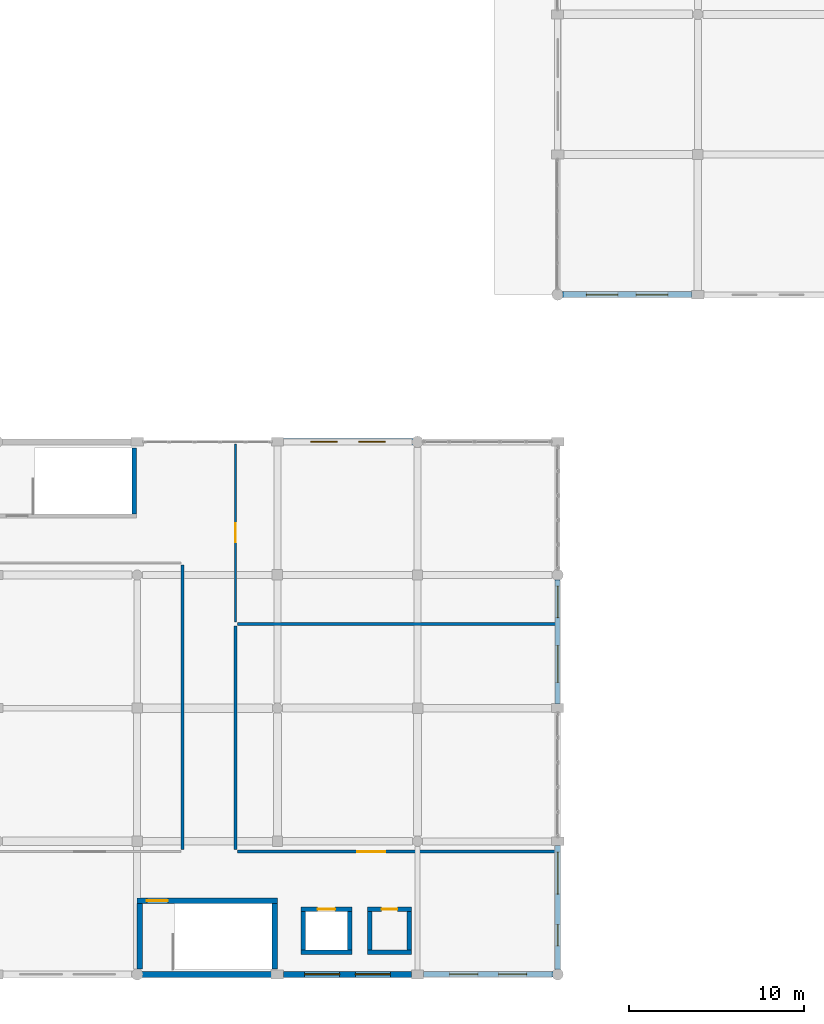
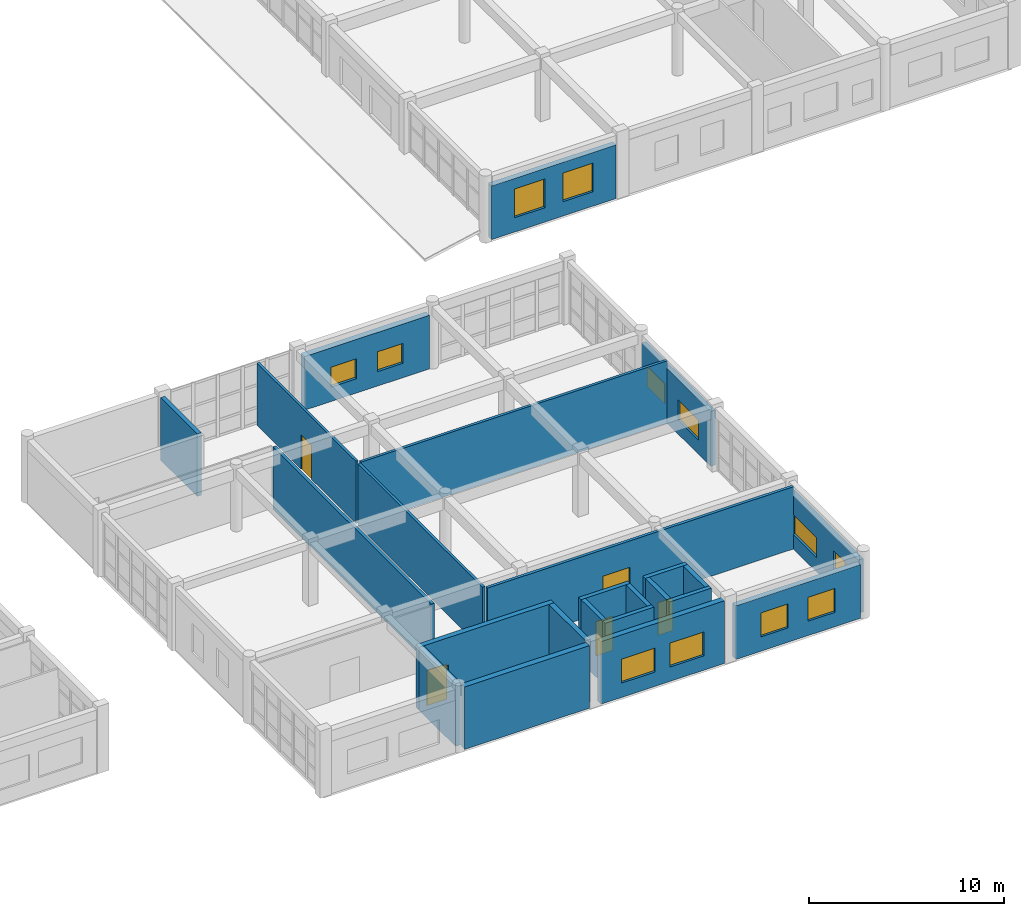
# One storey, part 109 of 121: 24 walls, 12 windows, 5 doors, 17 openings.
"""IFC4 building model written with IfcOpenShell, lengths in metres."""

import ifcopenshell
import ifcopenshell.guid

model = None  # the IFC model being written
_history = None  # IfcOwnerHistory: only IFC2X3 demands one
_inside = {}  # id of a spatial element -> (the spatial element, [elements in it])
_under = {}  # id of a project, library or spatial element -> (it, [spatial elements below it])
_declared = {}  # id of a project -> (the project, [libraries it declares])
_typed = {}  # id of a type object -> (the type object, [elements of that type])
_made_of = {}  # id of a material, layer set ... -> (it, [elements and type objects made of it])


def new_model(schema):
    """Start an empty IFC model of exactly this schema.

    Asked for "IFC4X3", IfcOpenShell would pick the latest addendum, in which some entities
    have other attributes; the version numbers below select the first issue.
    IFC2X3 requires an IfcOwnerHistory on every rooted entity: one is made here for all.
    """
    global model, _history
    if schema == "IFC4X3":
        model = ifcopenshell.file(schema_version=(4, 3, 0, 0))
    else:
        model = ifcopenshell.file(schema=schema)
    _inside.clear()
    _under.clear()
    _declared.clear()
    _typed.clear()
    _made_of.clear()
    _history = None
    if model.schema == "IFC2X3":
        org = make("IfcOrganization", Name="unknown")
        user = make(
            "IfcPersonAndOrganization",
            ThePerson=make("IfcPerson", FamilyName="unknown"),
            TheOrganization=org,
        )
        app = make(
            "IfcApplication",
            ApplicationDeveloper=org,
            Version="unknown",
            ApplicationFullName="unknown",
            ApplicationIdentifier="unknown",
        )
        _history = make(
            "IfcOwnerHistory",
            OwningUser=user,
            OwningApplication=app,
            ChangeAction="ADDED",
            CreationDate=0,
        )
    return model


def make(cls, **values):
    """One entity of the class cls with the attributes given. An attribute that is None is left unset."""
    return model.create_entity(
        cls, **{name: value for name, value in values.items() if value is not None}
    )


def rooted(cls, **values):
    """An entity with a GlobalId (a new one), such as an element, a storey or a relation."""
    return make(cls, GlobalId=ifcopenshell.guid.new(), OwnerHistory=_history, **values)


def si_unit(unit_type, name, prefix=None):
    """IfcSIUnit, for example si_unit("LENGTHUNIT", "METRE", prefix="MILLI")."""
    return make("IfcSIUnit", UnitType=unit_type, Prefix=prefix, Name=name)


def assignment(units):
    """IfcUnitAssignment: the units of a project."""
    return None if units is None else make("IfcUnitAssignment", Units=units)


def point(xyz):
    """IfcCartesianPoint."""
    return None if xyz is None else make("IfcCartesianPoint", Coordinates=xyz)


def direction(xyz):
    """IfcDirection."""
    return None if xyz is None else make("IfcDirection", DirectionRatios=xyz)


def frame(location, z_axis=None, x_axis=None):
    """IfcAxis2Placement3D, a coordinate frame: its origin and axes. An axis left out is left unset."""
    return make(
        "IfcAxis2Placement3D",
        Location=point(location),
        Axis=direction(z_axis),
        RefDirection=direction(x_axis),
    )


def frame_2d(location, x_axis=None):
    """IfcAxis2Placement2D, a coordinate frame in the plane: its origin and x axis."""
    return make(
        "IfcAxis2Placement2D", Location=point(location), RefDirection=direction(x_axis)
    )


def origin():
    """The frame at (0, 0, 0) with its axes left unset."""
    return frame((0.0, 0.0, 0.0))


def place(relative_to, where):
    """IfcLocalPlacement: puts the frame where relative to a parent placement (None: the world)."""
    return make(
        "IfcLocalPlacement", PlacementRelTo=relative_to, RelativePlacement=where
    )


def context(
    kind, dimensions, precision=None, world=None, true_north=None, identifier=None
):
    """IfcGeometricRepresentationContext, for example the 3D "Model" context."""
    return make(
        "IfcGeometricRepresentationContext",
        ContextIdentifier=identifier,
        ContextType=kind,
        CoordinateSpaceDimension=dimensions,
        Precision=precision,
        WorldCoordinateSystem=world,
        TrueNorth=true_north,
    )


def subcontext(parent, identifier, kind, view, scale=None):
    """IfcGeometricRepresentationSubContext, for example "Body" below "Model"."""
    return make(
        "IfcGeometricRepresentationSubContext",
        ContextIdentifier=identifier,
        ContextType=kind,
        ParentContext=parent,
        TargetScale=scale,
        TargetView=view,
    )


def project(units=None, contexts=None):
    """IfcProject with its units and contexts."""
    return rooted(
        "IfcProject",
        Name="project",
        RepresentationContexts=contexts,
        UnitsInContext=assignment(units),
    )


def spatial(cls, under=None, at=None, **own):
    """A site, building, storey or space (cls), placed at a placement, below another one or the project."""
    s = rooted(cls, ObjectPlacement=at, **own)
    if under is not None:
        _under.setdefault(under.id(), (under, []))[1].append(s)
    return s


def profile(cls, at=None, kind="AREA", **sizes):
    """A parametric profile (cls). Its sizes go by their IFC names, for example OverallWidth=200.0."""
    return make(cls, ProfileType=kind, Position=at, **sizes)


def rectangle(**sizes):
    """IfcRectangleProfileDef."""
    return profile("IfcRectangleProfileDef", **sizes)


def extrude(swept, where, along, depth):
    """IfcExtrudedAreaSolid: the profile swept, set in the frame where, extruded along a direction by depth."""
    return make(
        "IfcExtrudedAreaSolid",
        SweptArea=swept,
        Position=where,
        ExtrudedDirection=direction(along),
        Depth=depth,
    )


def shape(context_of_items, identifier, shape_type, items):
    """IfcShapeRepresentation: the items that make up one representation, for example the "Body"."""
    return make(
        "IfcShapeRepresentation",
        ContextOfItems=context_of_items,
        RepresentationIdentifier=identifier,
        RepresentationType=shape_type,
        Items=items,
    )


def material(Name=None, Category=None):
    """IfcMaterial."""
    return make("IfcMaterial", Name=Name, Category=Category)


def layer(
    of_material, thickness, ventilated=None, Name=None, Category=None, Priority=None
):
    """IfcMaterialLayer: one layer of a wall or slab, of a material (None: an air gap)."""
    return make(
        "IfcMaterialLayer",
        Material=of_material,
        LayerThickness=thickness,
        IsVentilated=ventilated,
        Name=Name,
        Category=Category,
        Priority=Priority,
    )


def layer_set(layers, Name=None):
    """IfcMaterialLayerSet."""
    return make("IfcMaterialLayerSet", MaterialLayers=layers, LayerSetName=Name)


def made_of(thing, what):
    """Note that an element or type object is made of a material, layer set ...; save() writes the relation."""
    if what is not None:
        _made_of.setdefault(what.id(), (what, []))[1].append(thing)
    return thing


def type_object(cls, material=None, **own):
    """A type object (cls), such as IfcWallType, which elements share."""
    return made_of(rooted(cls, **own), material)


def element(
    cls,
    number,
    at=None,
    inside=None,
    cuts=None,
    type_object=None,
    material=None,
    context=None,
    identifier="Body",
    shape_type=None,
    held_by="IfcProductDefinitionShape",
    body=None,
    shapes=None,
    **own,
):
    """One element of the class cls, such as IfcWall. Its Tag is "e" and its number.

    at: its placement. inside: the storey or other place that contains it. cuts: it is an
    opening in that element (IfcRelVoidsElement). A single representation is given by context,
    identifier, shape_type and body (its items); several are given by shapes. held_by: the class
    of the entity that holds the representations. save() writes the other relations.
    """
    e = rooted(cls, Tag="e%d" % number, ObjectPlacement=at, **own)
    if body is not None:
        shapes = [shape(context, identifier, shape_type, body)]
    if shapes is not None:
        e.Representation = make(held_by, Representations=shapes)
    if inside is not None:
        _inside.setdefault(inside.id(), (inside, []))[1].append(e)
    if cuts is not None:
        rooted(
            "IfcRelVoidsElement", RelatingBuildingElement=cuts, RelatedOpeningElement=e
        )
    if type_object is not None:
        _typed.setdefault(type_object.id(), (type_object, []))[1].append(e)
    return made_of(e, material)


def fill(opening, filler):
    """IfcRelFillsElement: the door or window that sits in an opening."""
    return rooted(
        "IfcRelFillsElement",
        RelatingOpeningElement=opening,
        RelatedBuildingElement=filler,
    )


def aggregate(whole, parts):
    """IfcRelAggregates: a whole, such as a stair, and the parts it consists of."""
    return rooted("IfcRelAggregates", RelatingObject=whole, RelatedObjects=parts)


def save(model, path):
    """Write the relations noted so far, then the file.

    IfcRelAggregates (storeys below a building ...), IfcRelContainedInSpatialStructure (elements
    in a storey), IfcRelDefinesByType, IfcRelAssociatesMaterial and IfcRelDeclares: one each for
    every whole, place, type object, material and project.
    """
    for whole, parts in _under.values():
        aggregate(whole, parts)
    for where, things in _inside.values():
        rooted(
            "IfcRelContainedInSpatialStructure",
            RelatedElements=things,
            RelatingStructure=where,
        )
    for kind, things in _typed.values():
        rooted("IfcRelDefinesByType", RelatedObjects=things, RelatingType=kind)
    for what, things in _made_of.values():
        rooted("IfcRelAssociatesMaterial", RelatedObjects=things, RelatingMaterial=what)
    for by, libraries in _declared.values():
        rooted("IfcRelDeclares", RelatingContext=by, RelatedDefinitions=libraries)
    model.write(path)


model = new_model("IFC4")

# Units and contexts
model_context = context("Model", 3, precision=1e-05, world=origin(), true_north=direction((0.0, 1.0)))
body_context = subcontext(model_context, "Body", "Model", "MODEL_VIEW")
ifc_project = project(units=[si_unit("LENGTHUNIT", "METRE"), si_unit("AREAUNIT", "SQUARE_METRE"), si_unit("VOLUMEUNIT", "CUBIC_METRE"), si_unit("PLANEANGLEUNIT", "RADIAN"), si_unit("MASSUNIT", "GRAM", prefix="KILO")], contexts=[model_context])

# Site, building, storey
site_placement = place(None, origin())
site = spatial("IfcSite", under=ifc_project, at=site_placement, CompositionType="ELEMENT")
building_placement = place(site_placement, origin())
building = spatial("IfcBuilding", under=site, at=building_placement, Name="Kharva Crest Polytechnic", CompositionType="ELEMENT")
storey_placement = place(building_placement, frame((0.0, 0.0, 13.199951171875)))
storey = spatial("IfcBuildingStorey", under=building, at=storey_placement, Name="L03", CompositionType="ELEMENT", Elevation=13.199951171875)

# Wall, opening, door
ifc_material_1 = material(Name="Concrete C40/50", Category="concrete")
ifc_layer_1 = layer(ifc_material_1, 0.300048828125, Name="Concrete C40/50")
ifc_layer_set_1 = layer_set([ifc_layer_1], Name="Concrete C40/50")
wall_type_1 = type_object("IfcWallType", Name="WL-CORE-CW2-300", PredefinedType="SHEAR", material=ifc_layer_set_1)
wall_1_placement = place(storey_placement, frame((128.800048828125, 4.2099609375, 0.0), z_axis=(0.0, 0.0, 1.0), x_axis=(1.0, 0.0, 0.0)))
wall_1 = element("IfcWall", 1, at=wall_1_placement, inside=storey, type_object=wall_type_1, Name="L03 South-East Refectory Escarpment Core C6 North Shear Wall", PredefinedType="SHEAR", context=body_context, shape_type="SweptSolid", body=[
    extrude(rectangle(XDim=8.0, YDim=0.300048828125, at=frame_2d((4.0, 0.0))), origin(), (0.0, 0.0, 1.0), 3.920166015625),
])
opening_1_placement = place(wall_1_placement, frame((0.550048828125, 0.0, 0.0)))
opening_1 = element("IfcOpeningElement", 2, at=opening_1_placement, cuts=wall_1, Name="Opening FD1", PredefinedType="OPENING", context=body_context, shape_type="SweptSolid", body=[
    extrude(rectangle(XDim=1.199951171875, YDim=2.199951171875, at=frame_2d((0.60009765625, 1.10009765625))), frame((0.0, 0.159912109375, 0.0), z_axis=(0.0, -1.0, 0.0), x_axis=(1.0, 0.0, 0.0)), (0.0, 0.0, 1.0), 0.320068359375),
])
ifc_material_2 = material(Name="Teak timber", Category="wood")
door_type_1 = type_object("IfcDoorType", Name="DR-STAIR-1200X2200", OperationType="NOTDEFINED", PredefinedType="DOOR", material=ifc_material_2)
door_1_placement = place(opening_1_placement, origin())
door_1 = element("IfcDoor", 3, at=door_1_placement, inside=storey, type_object=door_type_1, Name="L03 ST-06 Stair Door", OperationType="SINGLE_SWING_LEFT", OverallHeight=2.199951171875, OverallWidth=1.199951171875, PredefinedType="DOOR", context=body_context, shape_type="SweptSolid", body=[
    extrude(rectangle(XDim=1.199951171875, YDim=2.199951171875, at=frame_2d((0.60009765625, 1.10009765625))), frame((0.0, 0.02490234375, 0.0), z_axis=(0.0, -1.0, 0.0), x_axis=(1.0, 0.0, 0.0)), (0.0, 0.0, 1.0), 0.050048828125),
])
fill(opening_1, door_1)

# Walls
for number, where, z_axis, x_axis, name in (
    (4, (128.949951171875, 0.300048828125, 0.0), (0.0, 0.0, 1.0), (0.0, 1.0, 0.0), "L03 South-East Refectory Escarpment Core C6 West Shear Wall"),
    (5, (136.64990234375, 0.300048828125, 0.0), (0.0, 0.0, 1.0), (0.0, 1.0, 0.0), "L03 South-East Refectory Escarpment Core C6 East Shear Wall"),
):
    element("IfcWall", number, at=place(storey_placement, frame(where, z_axis=z_axis, x_axis=x_axis)), inside=storey, type_object=wall_type_1, Name=name, PredefinedType="SHEAR", context=body_context, shape_type="SweptSolid", body=[
        extrude(rectangle(XDim=3.760009765625, YDim=0.300048828125, at=frame_2d((1.8798828125, 0.0))), origin(), (0.0, 0.0, 1.0), 3.920166015625),
    ])

# Wall, openings, windows
ifc_material_3 = material(Name="Kiln brick masonry", Category="masonry")
ifc_layer_2 = layer(ifc_material_3, 0.27490234375, Name="Kiln brick masonry")
ifc_layer_set_2 = layer_set([ifc_layer_2], Name="Kiln brick masonry")
wall_type_2 = type_object("IfcWallType", Name="WL-EXT-BRK-275", PredefinedType="SOLIDWALL", material=ifc_layer_set_2)
wall_2_placement = place(storey_placement, frame((152.800048828125, 15.445068359375, 0.0), z_axis=(0.0, 0.0, 1.0), x_axis=(0.0, 1.0, 0.0)))
wall_2 = element("IfcWall", 6, at=wall_2_placement, inside=storey, type_object=wall_type_2, Name="L03 Exterior Brick Wall 329", PredefinedType="SOLIDWALL", context=body_context, shape_type="SweptSolid", body=[
    extrude(rectangle(XDim=7.086181640625, YDim=0.27490234375, at=frame_2d((3.54296875, 0.0))), origin(), (0.0, 0.0, 1.0), 3.43994140625),
])
opening_2_placement = place(wall_2_placement, frame((1.22705078125, 0.0, 0.89990234375)))
opening_2 = element("IfcOpeningElement", 7, at=opening_2_placement, cuts=wall_2, Name="Opening W18", PredefinedType="OPENING", context=body_context, shape_type="SweptSolid", body=[
    extrude(rectangle(XDim=2.10009765625, YDim=1.25, at=frame_2d((1.050048828125, 0.625))), frame((0.0, 0.1474609375, 0.0), z_axis=(0.0, -1.0, 0.0), x_axis=(1.0, 0.0, 0.0)), (0.0, 0.0, 1.0), 0.294921875),
])
opening_3_placement = place(wall_2_placement, frame((4.9208984375, 0.0, 0.89990234375)))
opening_3 = element("IfcOpeningElement", 8, at=opening_3_placement, cuts=wall_2, Name="Opening W19", PredefinedType="OPENING", context=body_context, shape_type="SweptSolid", body=[
    extrude(rectangle(XDim=1.800048828125, YDim=1.25, at=frame_2d((0.89990234375, 0.625))), frame((0.0, 0.1474609375, 0.0), z_axis=(0.0, -1.0, 0.0), x_axis=(1.0, 0.0, 0.0)), (0.0, 0.0, 1.0), 0.294921875),
])
ifc_material_4 = material(Name="Anodised aluminium", Category="aluminium")
window_type_1 = type_object("IfcWindowType", Name="WIN-ALU-1800X1250", PartitioningType="SINGLE_PANEL", PredefinedType="WINDOW", material=ifc_material_4)
window_1_placement = place(opening_3_placement, origin())
window_1 = element("IfcWindow", 9, at=window_1_placement, inside=storey, type_object=window_type_1, Name="L03 Exterior Window 447", OverallHeight=1.25, OverallWidth=1.800048828125, PartitioningType="SINGLE_PANEL", PredefinedType="WINDOW", context=body_context, shape_type="SweptSolid", body=[
    extrude(rectangle(XDim=1.800048828125, YDim=1.25, at=frame_2d((0.89990234375, 0.625))), frame((0.0, 0.030029296875, 0.0), z_axis=(0.0, -1.0, 0.0), x_axis=(1.0, 0.0, 0.0)), (0.0, 0.0, 1.0), 0.06005859375),
])
fill(opening_3, window_1)
window_type_2 = type_object("IfcWindowType", Name="WIN-ALU-2100X1250", PartitioningType="SINGLE_PANEL", PredefinedType="WINDOW", material=ifc_material_4)
window_2_placement = place(opening_2_placement, origin())
window_2 = element("IfcWindow", 10, at=window_2_placement, inside=storey, type_object=window_type_2, Name="L03 Exterior Window 446", OverallHeight=1.25, OverallWidth=2.10009765625, PartitioningType="SINGLE_PANEL", PredefinedType="WINDOW", context=body_context, shape_type="SweptSolid", body=[
    extrude(rectangle(XDim=2.10009765625, YDim=1.25, at=frame_2d((1.050048828125, 0.625))), frame((0.0, 0.030029296875, 0.0), z_axis=(0.0, -1.0, 0.0), x_axis=(1.0, 0.0, 0.0)), (0.0, 0.0, 1.0), 0.06005859375),
])
fill(opening_2, window_2)

ifc_layer_3 = layer(ifc_material_3, 0.304931640625, Name="Kiln brick masonry")
ifc_layer_set_3 = layer_set([ifc_layer_3], Name="Kiln brick masonry")
wall_type_3 = type_object("IfcWallType", Name="WL-EXT-BRK-305", PredefinedType="SOLIDWALL", material=ifc_layer_set_3)
wall_3_placement = place(storey_placement, frame((152.800048828125, 0.268798828125, 0.0), z_axis=(0.0, 0.0, 1.0), x_axis=(0.0, 1.0, 0.0)))
wall_3 = element("IfcWall", 11, at=wall_3_placement, inside=storey, type_object=wall_type_3, Name="L03 Exterior Brick Wall 328", PredefinedType="SOLIDWALL", context=body_context, shape_type="SweptSolid", body=[
    extrude(rectangle(XDim=7.086181640625, YDim=0.304931640625, at=frame_2d((3.54296875, 0.0))), origin(), (0.0, 0.0, 1.0), 3.340087890625),
])
opening_4_placement = place(wall_3_placement, frame((1.365966796875, 0.0, 0.89990234375)))
opening_4 = element("IfcOpeningElement", 12, at=opening_4_placement, cuts=wall_3, Name="Opening W16", PredefinedType="OPENING", context=body_context, shape_type="SweptSolid", body=[
    extrude(rectangle(XDim=1.199951171875, YDim=1.5, at=frame_2d((0.60009765625, 0.75))), frame((0.0, 0.162353515625, 0.0), z_axis=(0.0, -1.0, 0.0), x_axis=(1.0, 0.0, 0.0)), (0.0, 0.0, 1.0), 0.324951171875),
])
opening_5_placement = place(wall_3_placement, frame((4.30908203125, 0.0, 0.89990234375)))
opening_5 = element("IfcOpeningElement", 13, at=opening_5_placement, cuts=wall_3, Name="Opening W17", PredefinedType="OPENING", context=body_context, shape_type="SweptSolid", body=[
    extrude(rectangle(XDim=2.39990234375, YDim=1.25, at=frame_2d((1.199951171875, 0.625))), frame((0.0, 0.162353515625, 0.0), z_axis=(0.0, -1.0, 0.0), x_axis=(1.0, 0.0, 0.0)), (0.0, 0.0, 1.0), 0.324951171875),
])
window_type_3 = type_object("IfcWindowType", Name="WIN-ALU-1200X1500", PartitioningType="SINGLE_PANEL", PredefinedType="WINDOW", material=ifc_material_4)
window_3_placement = place(opening_4_placement, origin())
window_3 = element("IfcWindow", 14, at=window_3_placement, inside=storey, type_object=window_type_3, Name="L03 Exterior Window 444", OverallHeight=1.5, OverallWidth=1.199951171875, PartitioningType="SINGLE_PANEL", PredefinedType="WINDOW", context=body_context, shape_type="SweptSolid", body=[
    extrude(rectangle(XDim=1.199951171875, YDim=1.5, at=frame_2d((0.60009765625, 0.75))), frame((0.0, 0.030029296875, 0.0), z_axis=(0.0, -1.0, 0.0), x_axis=(1.0, 0.0, 0.0)), (0.0, 0.0, 1.0), 0.06005859375),
])
fill(opening_4, window_3)
window_type_4 = type_object("IfcWindowType", Name="WIN-ALU-2400X1250", PartitioningType="SINGLE_PANEL", PredefinedType="WINDOW", material=ifc_material_4)
window_4_placement = place(opening_5_placement, origin())
window_4 = element("IfcWindow", 15, at=window_4_placement, inside=storey, type_object=window_type_4, Name="L03 Exterior Window 445", OverallHeight=1.25, OverallWidth=2.39990234375, PartitioningType="SINGLE_PANEL", PredefinedType="WINDOW", context=body_context, shape_type="SweptSolid", body=[
    extrude(rectangle(XDim=2.39990234375, YDim=1.25, at=frame_2d((1.199951171875, 0.625))), frame((0.0, 0.030029296875, 0.0), z_axis=(0.0, -1.0, 0.0), x_axis=(1.0, 0.0, 0.0)), (0.0, 0.0, 1.0), 0.06005859375),
])
fill(opening_5, window_4)

ifc_layer_4 = layer(ifc_material_3, 0.320068359375, Name="Kiln brick masonry")
ifc_layer_set_4 = layer_set([ifc_layer_4], Name="Kiln brick masonry")
wall_type_4 = type_object("IfcWallType", Name="WL-EXT-BRK-320", PredefinedType="SOLIDWALL", material=ifc_layer_set_4)
wall_4_placement = place(storey_placement, frame((145.135009765625, 0.0, 0.0), z_axis=(0.0, 0.0, 1.0), x_axis=(1.0, 0.0, 0.0)))
wall_4 = element("IfcWall", 16, at=wall_4_placement, inside=storey, type_object=wall_type_4, Name="L03 Exterior Brick Wall 327", PredefinedType="SOLIDWALL", context=body_context, shape_type="SweptSolid", body=[
    extrude(rectangle(XDim=7.396240234375, YDim=0.320068359375, at=frame_2d((3.6982421875, 0.0))), origin(), (0.0, 0.0, 1.0), 3.360107421875),
])
opening_6_placement = place(wall_4_placement, frame((1.5048828125, 0.0, 0.89990234375)))
opening_6 = element("IfcOpeningElement", 17, at=opening_6_placement, cuts=wall_4, Name="Opening W14", PredefinedType="OPENING", context=body_context, shape_type="SweptSolid", body=[
    extrude(rectangle(XDim=1.60009765625, YDim=1.5, at=frame_2d((0.800048828125, 0.75))), frame((0.0, 0.169921875, 0.0), z_axis=(0.0, -1.0, 0.0), x_axis=(1.0, 0.0, 0.0)), (0.0, 0.0, 1.0), 0.340087890625),
])
opening_7_placement = place(wall_4_placement, frame((4.291015625, 0.0, 0.89990234375)))
opening_7 = element("IfcOpeningElement", 18, at=opening_7_placement, cuts=wall_4, Name="Opening W14", PredefinedType="OPENING", context=body_context, shape_type="SweptSolid", body=[
    extrude(rectangle(XDim=1.60009765625, YDim=1.5, at=frame_2d((0.800048828125, 0.75))), frame((0.0, 0.169921875, 0.0), z_axis=(0.0, -1.0, 0.0), x_axis=(1.0, 0.0, 0.0)), (0.0, 0.0, 1.0), 0.340087890625),
])
window_type_5 = type_object("IfcWindowType", Name="WIN-ALU-1600X1500", PartitioningType="SINGLE_PANEL", PredefinedType="WINDOW", material=ifc_material_4)
window_5_placement = place(opening_6_placement, origin())
window_5 = element("IfcWindow", 19, at=window_5_placement, inside=storey, type_object=window_type_5, Name="L03 Exterior Window 442", OverallHeight=1.5, OverallWidth=1.60009765625, PartitioningType="SINGLE_PANEL", PredefinedType="WINDOW", context=body_context, shape_type="SweptSolid", body=[
    extrude(rectangle(XDim=1.60009765625, YDim=1.5, at=frame_2d((0.800048828125, 0.75))), frame((0.0, 0.030029296875, 0.0), z_axis=(0.0, -1.0, 0.0), x_axis=(1.0, 0.0, 0.0)), (0.0, 0.0, 1.0), 0.06005859375),
])
fill(opening_6, window_5)
window_6_placement = place(opening_7_placement, origin())
window_6 = element("IfcWindow", 20, at=window_6_placement, inside=storey, type_object=window_type_5, Name="L03 Exterior Window 443", OverallHeight=1.5, OverallWidth=1.60009765625, PartitioningType="SINGLE_PANEL", PredefinedType="WINDOW", context=body_context, shape_type="SweptSolid", body=[
    extrude(rectangle(XDim=1.60009765625, YDim=1.5, at=frame_2d((0.800048828125, 0.75))), frame((0.0, 0.030029296875, 0.0), z_axis=(0.0, -1.0, 0.0), x_axis=(1.0, 0.0, 0.0)), (0.0, 0.0, 1.0), 0.06005859375),
])
fill(opening_7, window_6)

ifc_layer_5 = layer(ifc_material_3, 0.3349609375, Name="Kiln brick masonry")
ifc_layer_set_5 = layer_set([ifc_layer_5], Name="Kiln brick masonry")
wall_type_5 = type_object("IfcWallType", Name="WL-EXT-BRK-335", PredefinedType="SOLIDWALL", material=ifc_layer_set_5)
wall_5_placement = place(storey_placement, frame((137.14501953125, 0.0, 0.0), z_axis=(0.0, 0.0, 1.0), x_axis=(1.0, 0.0, 0.0)))
wall_5 = element("IfcWall", 21, at=wall_5_placement, inside=storey, type_object=wall_type_5, Name="L03 Exterior Brick Wall 326", PredefinedType="SOLIDWALL", context=body_context, shape_type="SweptSolid", body=[
    extrude(rectangle(XDim=7.320068359375, YDim=0.3349609375, at=frame_2d((3.66015625, 0.0))), origin(), (0.0, 0.0, 1.0), 3.920166015625),
])
opening_8_placement = place(wall_5_placement, frame((1.212890625, 0.0, 0.89990234375)))
opening_8 = element("IfcOpeningElement", 22, at=opening_8_placement, cuts=wall_5, Name="Opening W12", PredefinedType="OPENING", context=body_context, shape_type="SweptSolid", body=[
    extrude(rectangle(XDim=2.0, YDim=1.5, at=frame_2d((1.0, 0.75))), frame((0.0, 0.177490234375, 0.0), z_axis=(0.0, -1.0, 0.0), x_axis=(1.0, 0.0, 0.0)), (0.0, 0.0, 1.0), 0.35498046875),
])
opening_9_placement = place(wall_5_placement, frame((4.10693359375, 0.0, 0.89990234375)))
opening_9 = element("IfcOpeningElement", 23, at=opening_9_placement, cuts=wall_5, Name="Opening W12", PredefinedType="OPENING", context=body_context, shape_type="SweptSolid", body=[
    extrude(rectangle(XDim=2.0, YDim=1.5, at=frame_2d((1.0, 0.75))), frame((0.0, 0.177490234375, 0.0), z_axis=(0.0, -1.0, 0.0), x_axis=(1.0, 0.0, 0.0)), (0.0, 0.0, 1.0), 0.35498046875),
])
window_type_6 = type_object("IfcWindowType", Name="WIN-ALU-2000X1500", PartitioningType="SINGLE_PANEL", PredefinedType="WINDOW", material=ifc_material_4)
window_7_placement = place(opening_8_placement, origin())
window_7 = element("IfcWindow", 24, at=window_7_placement, inside=storey, type_object=window_type_6, Name="L03 Exterior Window 440", OverallHeight=1.5, OverallWidth=2.0, PartitioningType="SINGLE_PANEL", PredefinedType="WINDOW", context=body_context, shape_type="SweptSolid", body=[
    extrude(rectangle(XDim=2.0, YDim=1.5, at=frame_2d((1.0, 0.75))), frame((0.0, 0.030029296875, 0.0), z_axis=(0.0, -1.0, 0.0), x_axis=(1.0, 0.0, 0.0)), (0.0, 0.0, 1.0), 0.06005859375),
])
fill(opening_8, window_7)
window_8_placement = place(opening_9_placement, origin())
window_8 = element("IfcWindow", 25, at=window_8_placement, inside=storey, type_object=window_type_6, Name="L03 Exterior Window 441", OverallHeight=1.5, OverallWidth=2.0, PartitioningType="SINGLE_PANEL", PredefinedType="WINDOW", context=body_context, shape_type="SweptSolid", body=[
    extrude(rectangle(XDim=2.0, YDim=1.5, at=frame_2d((1.0, 0.75))), frame((0.0, 0.030029296875, 0.0), z_axis=(0.0, -1.0, 0.0), x_axis=(1.0, 0.0, 0.0)), (0.0, 0.0, 1.0), 0.06005859375),
])
fill(opening_9, window_8)

wall_6_placement = place(storey_placement, frame((153.06884765625, 38.800048828125, 0.0), z_axis=(0.0, 0.0, 1.0), x_axis=(1.0, 0.0, 0.0)))
wall_6 = element("IfcWall", 26, at=wall_6_placement, inside=storey, type_object=wall_type_5, Name="L03 Exterior Brick Wall 336", PredefinedType="SOLIDWALL", context=body_context, shape_type="SweptSolid", body=[
    extrude(rectangle(XDim=7.38623046875, YDim=0.3349609375, at=frame_2d((3.693115234375, 0.0))), origin(), (0.0, 0.0, 1.0), 3.360107421875),
])
opening_10_placement = place(wall_6_placement, frame((1.368896484375, 0.0, 0.89990234375)))
opening_10 = element("IfcOpeningElement", 27, at=opening_10_placement, cuts=wall_6, Name="Opening W05", PredefinedType="OPENING", context=body_context, shape_type="SweptSolid", body=[
    extrude(rectangle(XDim=1.800048828125, YDim=1.800048828125, at=frame_2d((0.89990234375, 0.89990234375))), frame((0.0, 0.177490234375, 0.0), z_axis=(0.0, -1.0, 0.0), x_axis=(1.0, 0.0, 0.0)), (0.0, 0.0, 1.0), 0.35498046875),
])
opening_11_placement = place(wall_6_placement, frame((4.217041015625, 0.0, 0.89990234375)))
opening_11 = element("IfcOpeningElement", 28, at=opening_11_placement, cuts=wall_6, Name="Opening W05", PredefinedType="OPENING", context=body_context, shape_type="SweptSolid", body=[
    extrude(rectangle(XDim=1.800048828125, YDim=1.800048828125, at=frame_2d((0.89990234375, 0.89990234375))), frame((0.0, 0.177490234375, 0.0), z_axis=(0.0, -1.0, 0.0), x_axis=(1.0, 0.0, 0.0)), (0.0, 0.0, 1.0), 0.35498046875),
])
window_type_7 = type_object("IfcWindowType", Name="WIN-ALU-1800X1800", PartitioningType="SINGLE_PANEL", PredefinedType="WINDOW", material=ifc_material_4)
window_9_placement = place(opening_10_placement, origin())
window_9 = element("IfcWindow", 29, at=window_9_placement, inside=storey, type_object=window_type_7, Name="L03 Exterior Window 457", OverallHeight=1.800048828125, OverallWidth=1.800048828125, PartitioningType="SINGLE_PANEL", PredefinedType="WINDOW", context=body_context, shape_type="SweptSolid", body=[
    extrude(rectangle(XDim=1.800048828125, YDim=1.800048828125, at=frame_2d((0.89990234375, 0.89990234375))), frame((0.0, 0.030029296875, 0.0), z_axis=(0.0, -1.0, 0.0), x_axis=(1.0, 0.0, 0.0)), (0.0, 0.0, 1.0), 0.06005859375),
])
fill(opening_10, window_9)
window_10_placement = place(opening_11_placement, origin())
window_10 = element("IfcWindow", 30, at=window_10_placement, inside=storey, type_object=window_type_7, Name="L03 Exterior Window 458", OverallHeight=1.800048828125, OverallWidth=1.800048828125, PartitioningType="SINGLE_PANEL", PredefinedType="WINDOW", context=body_context, shape_type="SweptSolid", body=[
    extrude(rectangle(XDim=1.800048828125, YDim=1.800048828125, at=frame_2d((0.89990234375, 0.89990234375))), frame((0.0, 0.030029296875, 0.0), z_axis=(0.0, -1.0, 0.0), x_axis=(1.0, 0.0, 0.0)), (0.0, 0.0, 1.0), 0.06005859375),
])
fill(opening_11, window_10)

# Wall
ifc_layer_6 = layer(ifc_material_3, 0.35009765625, Name="Kiln brick masonry")
ifc_layer_set_6 = layer_set([ifc_layer_6], Name="Kiln brick masonry")
wall_type_6 = type_object("IfcWallType", Name="WL-EXT-BRK-350", PredefinedType="SOLIDWALL", material=ifc_layer_set_6)
wall_7_placement = place(storey_placement, frame((129.06884765625, 0.0, 0.0), z_axis=(0.0, 0.0, 1.0), x_axis=(1.0, 0.0, 0.0)))
element("IfcWall", 31, at=wall_7_placement, inside=storey, type_object=wall_type_6, Name="L03 Exterior Brick Wall 325", PredefinedType="SOLIDWALL", context=body_context, shape_type="SweptSolid", body=[
    extrude(rectangle(XDim=7.38623046875, YDim=0.35009765625, at=frame_2d((3.693115234375, 0.0))), origin(), (0.0, 0.0, 1.0), 3.920166015625),
])

# Wall, openings, windows
ifc_layer_7 = layer(ifc_material_3, 0.364990234375, Name="Kiln brick masonry")
ifc_layer_set_7 = layer_set([ifc_layer_7], Name="Kiln brick masonry")
wall_type_7 = type_object("IfcWallType", Name="WL-EXT-BRK-365", PredefinedType="SOLIDWALL", material=ifc_layer_set_7)
wall_8_placement = place(storey_placement, frame((144.53125, 30.39990234375, 0.0), z_axis=(0.0, 0.0, 1.0), x_axis=(-1.0, 0.0, 0.0)))
wall_8 = element("IfcWall", 32, at=wall_8_placement, inside=storey, type_object=wall_type_7, Name="L03 Exterior Brick Wall 330", PredefinedType="SOLIDWALL", context=body_context, shape_type="SweptSolid", body=[
    extrude(rectangle(XDim=7.396240234375, YDim=0.364990234375, at=frame_2d((3.6982421875, 0.0))), origin(), (0.0, 0.0, 1.0), 3.360107421875),
])
opening_12_placement = place(wall_8_placement, frame((1.572021484375, 0.0, 0.89990234375)))
opening_12 = element("IfcOpeningElement", 33, at=opening_12_placement, cuts=wall_8, Name="Opening W20", PredefinedType="OPENING", context=body_context, shape_type="SweptSolid", body=[
    extrude(rectangle(XDim=1.5, YDim=1.25, at=frame_2d((0.75, 0.625))), frame((0.0, 0.1923828125, 0.0), z_axis=(0.0, -1.0, 0.0), x_axis=(1.0, 0.0, 0.0)), (0.0, 0.0, 1.0), 0.385009765625),
])
opening_13_placement = place(wall_8_placement, frame((4.323974609375, 0.0, 0.89990234375)))
opening_13 = element("IfcOpeningElement", 34, at=opening_13_placement, cuts=wall_8, Name="Opening W20", PredefinedType="OPENING", context=body_context, shape_type="SweptSolid", body=[
    extrude(rectangle(XDim=1.5, YDim=1.25, at=frame_2d((0.75, 0.625))), frame((0.0, 0.1923828125, 0.0), z_axis=(0.0, -1.0, 0.0), x_axis=(1.0, 0.0, 0.0)), (0.0, 0.0, 1.0), 0.385009765625),
])
window_type_8 = type_object("IfcWindowType", Name="WIN-ALU-1500X1250", PartitioningType="SINGLE_PANEL", PredefinedType="WINDOW", material=ifc_material_4)
window_11_placement = place(opening_12_placement, origin())
window_11 = element("IfcWindow", 35, at=window_11_placement, inside=storey, type_object=window_type_8, Name="L03 Exterior Window 448", OverallHeight=1.25, OverallWidth=1.5, PartitioningType="SINGLE_PANEL", PredefinedType="WINDOW", context=body_context, shape_type="SweptSolid", body=[
    extrude(rectangle(XDim=1.5, YDim=1.25, at=frame_2d((0.75, 0.625))), frame((0.0, 0.030029296875, 0.0), z_axis=(0.0, -1.0, 0.0), x_axis=(1.0, 0.0, 0.0)), (0.0, 0.0, 1.0), 0.06005859375),
])
fill(opening_12, window_11)
window_12_placement = place(opening_13_placement, origin())
window_12 = element("IfcWindow", 36, at=window_12_placement, inside=storey, type_object=window_type_8, Name="L03 Exterior Window 449", OverallHeight=1.25, OverallWidth=1.5, PartitioningType="SINGLE_PANEL", PredefinedType="WINDOW", context=body_context, shape_type="SweptSolid", body=[
    extrude(rectangle(XDim=1.5, YDim=1.25, at=frame_2d((0.75, 0.625))), frame((0.0, 0.030029296875, 0.0), z_axis=(0.0, -1.0, 0.0), x_axis=(1.0, 0.0, 0.0)), (0.0, 0.0, 1.0), 0.06005859375),
])
fill(opening_13, window_12)

# Wall, opening, door
ifc_layer_8 = layer(ifc_material_3, 0.139892578125, Name="Kiln brick masonry")
ifc_layer_set_8 = layer_set([ifc_layer_8], Name="Kiln brick masonry")
wall_type_8 = type_object("IfcWallType", Name="WL-PART-140", PredefinedType="PARTITIONING", material=ifc_layer_set_8)
wall_9_placement = place(storey_placement, frame((134.409912109375, 20.1201171875, 0.0), z_axis=(0.0, 0.0, 1.0), x_axis=(0.0, 1.0, 0.0)))
wall_9 = element("IfcWall", 37, at=wall_9_placement, inside=storey, type_object=wall_type_8, Name="L03 Interior Partition 304", PredefinedType="PARTITIONING", context=body_context, shape_type="SweptSolid", body=[
    extrude(rectangle(XDim=10.169921875, YDim=0.139892578125, at=frame_2d((5.0849609375, 0.0))), origin(), (0.0, 0.0, 1.0), 3.900146484375),
])
opening_14_placement = place(wall_9_placement, frame((4.544921875, 0.0, 0.0)))
opening_14 = element("IfcOpeningElement", 38, at=opening_14_placement, cuts=wall_9, Name="Opening ID10", PredefinedType="OPENING", context=body_context, shape_type="SweptSolid", body=[
    extrude(rectangle(XDim=1.080078125, YDim=2.14990234375, at=frame_2d((0.5400390625, 1.074951171875))), frame((0.0, 0.079833984375, 0.0), z_axis=(0.0, -1.0, 0.0), x_axis=(1.0, 0.0, 0.0)), (0.0, 0.0, 1.0), 0.159912109375),
])
door_type_2 = type_object("IfcDoorType", Name="DR-CLS-1080X2150", OperationType="NOTDEFINED", PredefinedType="DOOR", material=ifc_material_2)
door_2_placement = place(opening_14_placement, origin())
door_2 = element("IfcDoor", 39, at=door_2_placement, inside=storey, type_object=door_type_2, Name="L03 Union Seminar Room L03 Door", OperationType="SINGLE_SWING_RIGHT", OverallHeight=2.14990234375, OverallWidth=1.080078125, PredefinedType="DOOR", context=body_context, shape_type="SweptSolid", body=[
    extrude(rectangle(XDim=1.080078125, YDim=2.14990234375, at=frame_2d((0.5400390625, 1.074951171875))), frame((0.0, 0.02490234375, 0.0), z_axis=(0.0, -1.0, 0.0), x_axis=(1.0, 0.0, 0.0)), (0.0, 0.0, 1.0), 0.050048828125),
])
fill(opening_14, door_2)

# Walls
ifc_layer_9 = layer(ifc_material_3, 0.14990234375, Name="Kiln brick masonry")
ifc_layer_set_9 = layer_set([ifc_layer_9], Name="Kiln brick masonry")
wall_type_9 = type_object("IfcWallType", Name="WL-PART-150", PredefinedType="PARTITIONING", material=ifc_layer_set_9)
wall_10_placement = place(storey_placement, frame((134.409912109375, 7.1201171875, 0.0), z_axis=(0.0, 0.0, 1.0), x_axis=(0.0, 1.0, 0.0)))
element("IfcWall", 40, at=wall_10_placement, inside=storey, type_object=wall_type_9, Name="L03 Interior Partition 303", PredefinedType="PARTITIONING", context=body_context, shape_type="SweptSolid", body=[
    extrude(rectangle(XDim=12.769775390625, YDim=0.14990234375, at=frame_2d((6.384765625, 0.0))), origin(), (0.0, 0.0, 1.0), 3.900146484375),
])
ifc_layer_10 = layer(ifc_material_3, 0.159912109375, Name="Kiln brick masonry")
ifc_layer_set_10 = layer_set([ifc_layer_10], Name="Kiln brick masonry")
wall_type_10 = type_object("IfcWallType", Name="WL-PART-160", PredefinedType="PARTITIONING", material=ifc_layer_set_10)
wall_11_placement = place(storey_placement, frame((134.52001953125, 20.0, 0.0), z_axis=(0.0, 0.0, 1.0), x_axis=(1.0, 0.0, 0.0)))
element("IfcWall", 41, at=wall_11_placement, inside=storey, type_object=wall_type_10, Name="L03 Interior Partition 302", PredefinedType="PARTITIONING", context=body_context, shape_type="SweptSolid", body=[
    extrude(rectangle(XDim=18.169921875, YDim=0.159912109375, at=frame_2d((9.0849609375, 0.0))), origin(), (0.0, 0.0, 1.0), 3.900146484375),
])

# Wall, opening, door
ifc_layer_11 = layer(ifc_material_3, 0.169921875, Name="Kiln brick masonry")
ifc_layer_set_11 = layer_set([ifc_layer_11], Name="Kiln brick masonry")
wall_type_11 = type_object("IfcWallType", Name="WL-PART-170", PredefinedType="PARTITIONING", material=ifc_layer_set_11)
wall_12_placement = place(storey_placement, frame((134.52001953125, 7.010009765625, 0.0), z_axis=(0.0, 0.0, 1.0), x_axis=(1.0, 0.0, 0.0)))
wall_12 = element("IfcWall", 42, at=wall_12_placement, inside=storey, type_object=wall_type_11, Name="L03 Interior Partition 301", PredefinedType="PARTITIONING", context=body_context, shape_type="SweptSolid", body=[
    extrude(rectangle(XDim=18.169921875, YDim=0.169921875, at=frame_2d((9.0849609375, 0.0))), origin(), (0.0, 0.0, 1.0), 3.900146484375),
])
opening_15_placement = place(wall_12_placement, frame((6.8310546875, 0.0, 0.0)))
opening_15 = element("IfcOpeningElement", 43, at=opening_15_placement, cuts=wall_12, Name="Opening ID4", PredefinedType="OPENING", context=body_context, shape_type="SweptSolid", body=[
    extrude(rectangle(XDim=1.60009765625, YDim=2.25, at=frame_2d((0.800048828125, 1.125))), frame((0.0, 0.094970703125, 0.0), z_axis=(0.0, -1.0, 0.0), x_axis=(1.0, 0.0, 0.0)), (0.0, 0.0, 1.0), 0.18994140625),
])
door_type_3 = type_object("IfcDoorType", Name="DR-WKSHP-DBL-1600X2250", OperationType="NOTDEFINED", PredefinedType="DOOR", material=ifc_material_2)
door_3_placement = place(opening_15_placement, origin())
door_3 = element("IfcDoor", 44, at=door_3_placement, inside=storey, type_object=door_type_3, Name="L03 Student Societies Workshop L03 Door", OperationType="DOUBLE_DOOR_SINGLE_SWING", OverallHeight=2.25, OverallWidth=1.60009765625, PredefinedType="DOOR", context=body_context, shape_type="SweptSolid", body=[
    extrude(rectangle(XDim=1.60009765625, YDim=2.25, at=frame_2d((0.800048828125, 1.125))), frame((0.0, 0.02490234375, 0.0), z_axis=(0.0, -1.0, 0.0), x_axis=(1.0, 0.0, 0.0)), (0.0, 0.0, 1.0), 0.050048828125),
])
fill(opening_15, door_3)

# Walls
ifc_layer_12 = layer(ifc_material_3, 0.179931640625, Name="Kiln brick masonry")
ifc_layer_set_12 = layer_set([ifc_layer_12], Name="Kiln brick masonry")
wall_type_12 = type_object("IfcWallType", Name="WL-PART-180", PredefinedType="PARTITIONING", material=ifc_layer_set_12)
wall_13_placement = place(storey_placement, frame((131.389892578125, 7.1201171875, 0.0), z_axis=(0.0, 0.0, 1.0), x_axis=(0.0, 1.0, 0.0)))
element("IfcWall", 45, at=wall_13_placement, inside=storey, type_object=wall_type_12, Name="L03 Interior Partition 300", PredefinedType="PARTITIONING", context=body_context, shape_type="SweptSolid", body=[
    extrude(rectangle(XDim=16.259765625, YDim=0.179931640625, at=frame_2d((8.1298828125, 0.0))), origin(), (0.0, 0.0, 1.0), 3.900146484375),
])
ifc_layer_13 = layer(ifc_material_1, 0.25, Name="Concrete C40/50")
ifc_layer_set_13 = layer_set([ifc_layer_13], Name="Concrete C40/50")
wall_type_13 = type_object("IfcWallType", Name="WL-SHEAR-SW1-250", PredefinedType="SHEAR", material=ifc_layer_set_13)
wall_14_placement = place(storey_placement, frame((138.14990234375, 1.27490234375, 0.0), z_axis=(0.0, 0.0, 1.0), x_axis=(1.0, 0.0, 0.0)))
element("IfcWall", 46, at=wall_14_placement, inside=storey, type_object=wall_type_13, Name="L03 Lift PL4 South Shaft Wall", PredefinedType="SHEAR", context=body_context, shape_type="SweptSolid", body=[
    extrude(rectangle(XDim=2.900146484375, YDim=0.25, at=frame_2d((1.4501953125, 0.0))), origin(), (0.0, 0.0, 1.0), 3.920166015625),
])

# Wall, opening, door
wall_15_placement = place(storey_placement, frame((138.14990234375, 3.72509765625, 0.0), z_axis=(0.0, 0.0, 1.0), x_axis=(1.0, 0.0, 0.0)))
wall_15 = element("IfcWall", 47, at=wall_15_placement, inside=storey, type_object=wall_type_13, Name="L03 Lift PL4 North Shaft Wall", PredefinedType="SHEAR", context=body_context, shape_type="SweptSolid", body=[
    extrude(rectangle(XDim=2.900146484375, YDim=0.25, at=frame_2d((1.4501953125, 0.0))), origin(), (0.0, 0.0, 1.0), 3.920166015625),
])
opening_16_placement = place(wall_15_placement, frame((0.949951171875, 0.0, 0.0)))
opening_16 = element("IfcOpeningElement", 48, at=opening_16_placement, cuts=wall_15, Name="Opening LD2", PredefinedType="OPENING", context=body_context, shape_type="SweptSolid", body=[
    extrude(rectangle(XDim=1.0, YDim=2.14990234375, at=frame_2d((0.5, 1.074951171875))), frame((0.0, 0.135009765625, 0.0), z_axis=(0.0, -1.0, 0.0), x_axis=(1.0, 0.0, 0.0)), (0.0, 0.0, 1.0), 0.27001953125),
])
door_type_4 = type_object("IfcDoorType", Name="DR-LIFT-LD2-1000X2150", OperationType="SLIDING_TO_LEFT", PredefinedType="DOOR", material=ifc_material_4)
door_4_placement = place(opening_16_placement, origin())
door_4 = element("IfcDoor", 49, at=door_4_placement, inside=storey, type_object=door_type_4, Name="L03 Lift PL4 Sliding Landing Door", OperationType="SLIDING_TO_LEFT", OverallHeight=2.14990234375, OverallWidth=1.0, PredefinedType="DOOR", context=body_context, shape_type="SweptSolid", body=[
    extrude(rectangle(XDim=1.0, YDim=2.14990234375, at=frame_2d((0.5, 1.074951171875))), frame((0.0, 0.02490234375, 0.0), z_axis=(0.0, -1.0, 0.0), x_axis=(1.0, 0.0, 0.0)), (0.0, 0.0, 1.0), 0.050048828125),
])
fill(opening_16, door_4)

# Walls
for number, where, z_axis, x_axis, name in (
    (50, (138.27490234375, 1.39990234375, 0.0), (0.0, 0.0, 1.0), (0.0, 1.0, 0.0), "L03 Lift PL4 West Shaft Wall"),
    (51, (140.925048828125, 1.39990234375, 0.0), (0.0, 0.0, 1.0), (0.0, 1.0, 0.0), "L03 Lift PL4 East Shaft Wall"),
):
    element("IfcWall", number, at=place(storey_placement, frame(where, z_axis=z_axis, x_axis=x_axis)), inside=storey, type_object=wall_type_13, Name=name, PredefinedType="SHEAR", context=body_context, shape_type="SweptSolid", body=[
        extrude(rectangle(XDim=2.2001953125, YDim=0.25, at=frame_2d((1.10009765625, 0.0))), origin(), (0.0, 0.0, 1.0), 3.920166015625),
    ])
wall_16_placement = place(storey_placement, frame((141.949951171875, 1.27490234375, 0.0), z_axis=(0.0, 0.0, 1.0), x_axis=(1.0, 0.0, 0.0)))
element("IfcWall", 52, at=wall_16_placement, inside=storey, type_object=wall_type_13, Name="L03 Core C6 Riser South Wall", PredefinedType="SHEAR", context=body_context, shape_type="SweptSolid", body=[
    extrude(rectangle(XDim=2.5, YDim=0.25, at=frame_2d((1.25, 0.0))), origin(), (0.0, 0.0, 1.0), 3.920166015625),
])

# Wall, opening, door
wall_17_placement = place(storey_placement, frame((141.949951171875, 3.72509765625, 0.0), z_axis=(0.0, 0.0, 1.0), x_axis=(1.0, 0.0, 0.0)))
wall_17 = element("IfcWall", 53, at=wall_17_placement, inside=storey, type_object=wall_type_13, Name="L03 Core C6 Riser North Wall", PredefinedType="SHEAR", context=body_context, shape_type="SweptSolid", body=[
    extrude(rectangle(XDim=2.5, YDim=0.25, at=frame_2d((1.25, 0.0))), origin(), (0.0, 0.0, 1.0), 3.920166015625),
])
opening_17_placement = place(wall_17_placement, frame((0.800048828125, 0.0, 0.0)))
opening_17 = element("IfcOpeningElement", 54, at=opening_17_placement, cuts=wall_17, Name="Opening FD3", PredefinedType="OPENING", context=body_context, shape_type="SweptSolid", body=[
    extrude(rectangle(XDim=0.89990234375, YDim=2.050048828125, at=frame_2d((0.449951171875, 1.02490234375))), frame((0.0, 0.135009765625, 0.0), z_axis=(0.0, -1.0, 0.0), x_axis=(1.0, 0.0, 0.0)), (0.0, 0.0, 1.0), 0.27001953125),
])
door_type_5 = type_object("IfcDoorType", Name="DR-RISER-900X2050", OperationType="NOTDEFINED", PredefinedType="DOOR", material=ifc_material_4)
door_5_placement = place(opening_17_placement, origin())
door_5 = element("IfcDoor", 55, at=door_5_placement, inside=storey, type_object=door_type_5, Name="L03 Core C6 Riser Access Door", OperationType="SINGLE_SWING_RIGHT", OverallHeight=2.050048828125, OverallWidth=0.89990234375, PredefinedType="DOOR", context=body_context, shape_type="SweptSolid", body=[
    extrude(rectangle(XDim=0.89990234375, YDim=2.050048828125, at=frame_2d((0.449951171875, 1.02490234375))), frame((0.0, 0.02490234375, 0.0), z_axis=(0.0, -1.0, 0.0), x_axis=(1.0, 0.0, 0.0)), (0.0, 0.0, 1.0), 0.050048828125),
])
fill(opening_17, door_5)

# Walls
for number, where, z_axis, x_axis, name in (
    (56, (142.074951171875, 1.39990234375, 0.0), (0.0, 0.0, 1.0), (0.0, 1.0, 0.0), "L03 Core C6 Riser West Wall"),
    (57, (144.324951171875, 1.39990234375, 0.0), (0.0, 0.0, 1.0), (0.0, 1.0, 0.0), "L03 Core C6 Riser East Wall"),
):
    element("IfcWall", number, at=place(storey_placement, frame(where, z_axis=z_axis, x_axis=x_axis)), inside=storey, type_object=wall_type_13, Name=name, PredefinedType="SHEAR", context=body_context, shape_type="SweptSolid", body=[
        extrude(rectangle(XDim=2.2001953125, YDim=0.25, at=frame_2d((1.10009765625, 0.0))), origin(), (0.0, 0.0, 1.0), 3.920166015625),
    ])
wall_18_placement = place(storey_placement, frame((128.625, 26.2900390625, 0.0), z_axis=(0.0, 0.0, 1.0), x_axis=(0.0, 1.0, 0.0)))
element("IfcWall", 58, at=wall_18_placement, inside=storey, type_object=wall_type_13, Name="L03 South-East Escarpment Secondary Stair C7 East Shear Wall", PredefinedType="SHEAR", context=body_context, shape_type="SweptSolid", body=[
    extrude(rectangle(XDim=3.760009765625, YDim=0.25, at=frame_2d((1.8798828125, 0.0))), origin(), (0.0, 0.0, 1.0), 3.920166015625),
])

save(model, "model.ifc")
